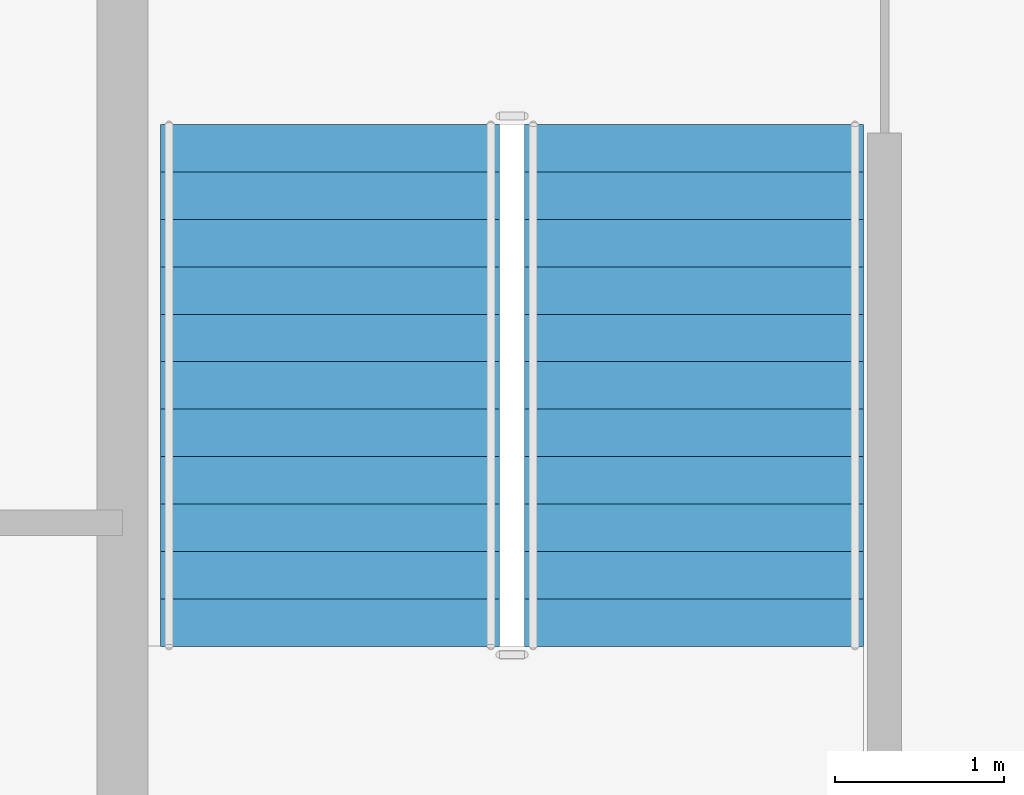
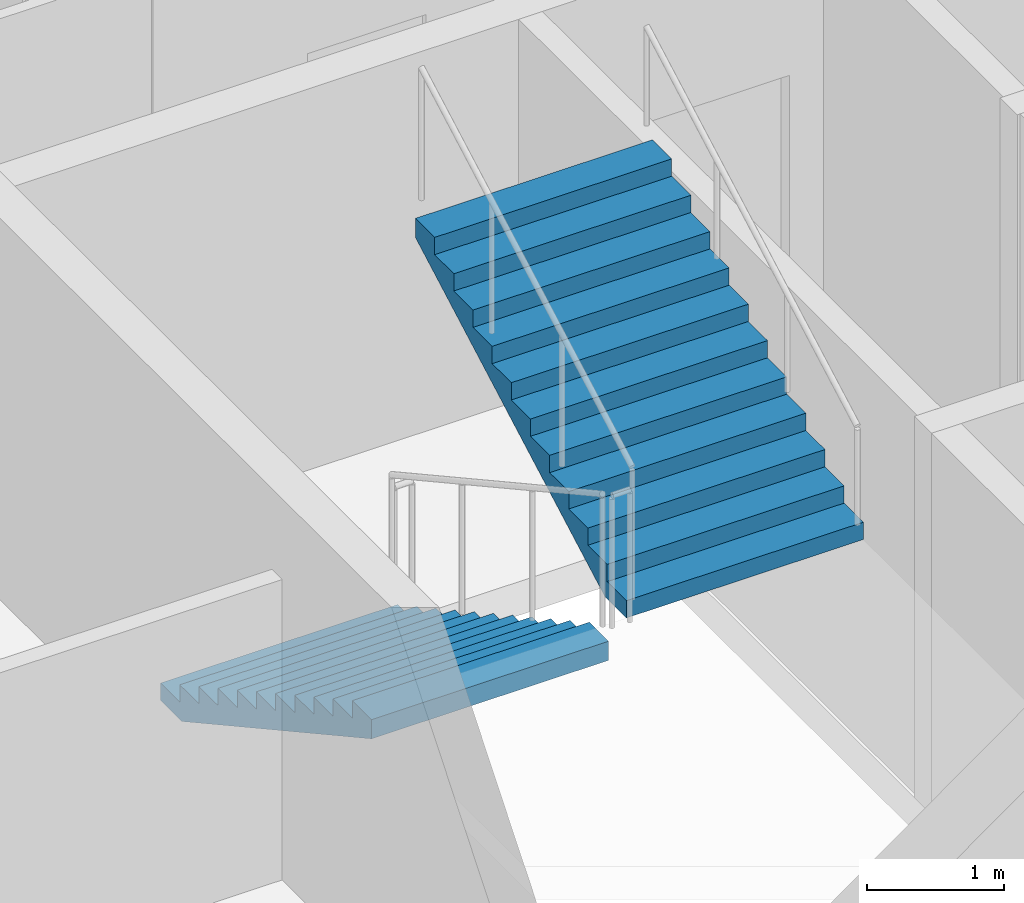
# One storey, part 10 of 13: 2 stair flights, 1 element without a shape of its own.
"""IFC4 building model written with IfcOpenShell, lengths in metres."""

from ifc_helpers import new_model, si_unit, direction, frame, origin, place, context, subcontext, project, spatial, polygons, material, type_object, element, aggregate, save


model = new_model("IFC4")

# Units and contexts
model_context = context("Model", 3, precision=1e-05, world=origin(), true_north=direction((0.0, 1.0)))
body_context = subcontext(model_context, "Body", "Model", "MODEL_VIEW")
ifc_project = project(units=[si_unit("LENGTHUNIT", "METRE"), si_unit("AREAUNIT", "SQUARE_METRE"), si_unit("VOLUMEUNIT", "CUBIC_METRE"), si_unit("PLANEANGLEUNIT", "RADIAN"), si_unit("MASSUNIT", "GRAM", prefix="KILO")], contexts=[model_context])

# Site, building, storey
site_placement = place(None, origin())
site = spatial("IfcSite", under=ifc_project, at=site_placement, CompositionType="ELEMENT")
building_placement = place(site_placement, origin())
building = spatial("IfcBuilding", under=site, at=building_placement, Name="Caravel Reach Hotel and Residences", CompositionType="ELEMENT")
storey_placement = place(building_placement, frame((0.0, 0.0, 158.0)))
storey = spatial("IfcBuildingStorey", under=building, at=storey_placement, Name="L39", CompositionType="ELEMENT", Elevation=158.0)

# Stair, stair flights
ifc_material_1 = material(Name="Concrete C40", Category="concrete")
stair_type = type_object("IfcStairType", Name="Core stair", PredefinedType="HALF_TURN_STAIR", material=ifc_material_1)
stair_placement = place(storey_placement, origin())
stair = element("IfcStair", 1, at=stair_placement, inside=storey, type_object=stair_type, Name="L39 Exit stair A", PredefinedType="HALF_TURN_STAIR")
ifc_material_2 = material(Name="Concrete C40", Category="concrete")
stair_flight_type = type_object("IfcStairFlightType", Name="Core stair flight", PredefinedType="STRAIGHT", material=ifc_material_2)
stair_flight_1_placement = place(storey_placement, frame((19.22509765625, 29.35009765625, 0.0), z_axis=(0.0, 0.0, 1.0), x_axis=(0.0, -1.0, 0.0)))
stair_flight_1 = element("IfcStairFlight", 2, at=stair_flight_1_placement, type_object=stair_flight_type, Name="ST-A flight 1", NumberOfRisers=12, NumberOfTreads=11, PredefinedType="STRAIGHT", RiserHeight=0.154166667, TreadLength=0.28, context=body_context, shape_type="Tessellation", body=[
    polygons([(0.3107950034306102, 1.0, 0.0), (0.3107950034306102, 0.6666666666666667, 0.0), (0.3107950034306102, 0.33333333333333337, 0.0), (0.3107950034306102, 0.0, 0.0), (0.3107950034306102, -0.33333333333333326, 0.0), (0.3107950034306102, -0.6666666666666667, 0.0), (0.3107950034306102, -1.0, 0.0), (3.081, 1.0, 1.524711087717319), (3.081, 0.6666666666666667, 1.524711087717319), (3.081, 0.33333333333333337, 1.524711087717319), (3.081, 0.0, 1.524711087717319), (3.081, -0.33333333333333326, 1.524711087717319), (3.081, -0.6666666666666667, 1.524711087717319), (3.081, -1.0, 1.524711087717319), (3.081, 1.0, 1.695833337), (3.081, 0.6666666666666667, 1.695833337), (3.081, 0.33333333333333337, 1.695833337), (3.081, 0.0, 1.695833337), (3.081, -0.33333333333333326, 1.695833337), (3.081, -0.6666666666666667, 1.695833337), (3.081, -1.0, 1.695833337), (2.8000000000000003, 1.0, 1.695833337), (2.8000000000000003, 0.6666666666666667, 1.695833337), (2.8000000000000003, 0.33333333333333337, 1.695833337), (2.8000000000000003, 0.0, 1.695833337), (2.8000000000000003, -0.33333333333333326, 1.695833337), (2.8000000000000003, -0.6666666666666667, 1.695833337), (2.8000000000000003, -1.0, 1.695833337), (2.8000000000000003, 1.0, 1.5416666700000001), (2.8000000000000003, 0.6666666666666667, 1.5416666700000001), (2.8000000000000003, 0.33333333333333337, 1.5416666700000001), (2.8000000000000003, 0.0, 1.5416666700000001), (2.8000000000000003, -0.33333333333333326, 1.5416666700000001), (2.8000000000000003, -0.6666666666666667, 1.5416666700000001), (2.8000000000000003, -1.0, 1.5416666700000001), (2.5200000000000005, 1.0, 1.5416666700000001), (2.5200000000000005, 0.6666666666666667, 1.5416666700000001), (2.5200000000000005, 0.33333333333333337, 1.5416666700000001), (2.5200000000000005, 0.0, 1.5416666700000001), (2.5200000000000005, -0.33333333333333326, 1.5416666700000001), (2.5200000000000005, -0.6666666666666667, 1.5416666700000001), (2.5200000000000005, -1.0, 1.5416666700000001), (2.5200000000000005, 1.0, 1.387500003), (2.5200000000000005, 0.6666666666666667, 1.387500003), (2.5200000000000005, 0.33333333333333337, 1.387500003), (2.5200000000000005, 0.0, 1.387500003), (2.5200000000000005, -0.33333333333333326, 1.387500003), (2.5200000000000005, -0.6666666666666667, 1.387500003), (2.5200000000000005, -1.0, 1.387500003), (2.24, 1.0, 1.387500003), (2.24, 0.6666666666666667, 1.387500003), (2.24, 0.33333333333333337, 1.387500003), (2.24, 0.0, 1.387500003), (2.24, -0.33333333333333326, 1.387500003), (2.24, -0.6666666666666667, 1.387500003), (2.24, -1.0, 1.387500003), (2.24, 1.0, 1.233333336), (2.24, 0.6666666666666667, 1.233333336), (2.24, 0.33333333333333337, 1.233333336), (2.24, 0.0, 1.233333336), (2.24, -0.33333333333333326, 1.233333336), (2.24, -0.6666666666666667, 1.233333336), (2.24, -1.0, 1.233333336), (1.9600000000000002, 1.0, 1.233333336), (1.9600000000000002, 0.6666666666666667, 1.233333336), (1.9600000000000002, 0.33333333333333337, 1.233333336), (1.9600000000000002, 0.0, 1.233333336), (1.9600000000000002, -0.33333333333333326, 1.233333336), (1.9600000000000002, -0.6666666666666667, 1.233333336), (1.9600000000000002, -1.0, 1.233333336), (1.9600000000000002, 1.0, 1.0791666690000001), (1.9600000000000002, 0.6666666666666667, 1.0791666690000001), (1.9600000000000002, 0.33333333333333337, 1.0791666690000001), (1.9600000000000002, 0.0, 1.0791666690000001), (1.9600000000000002, -0.33333333333333326, 1.0791666690000001), (1.9600000000000002, -0.6666666666666667, 1.0791666690000001), (1.9600000000000002, -1.0, 1.0791666690000001), (1.6800000000000002, 1.0, 1.0791666690000001), (1.6800000000000002, 0.6666666666666667, 1.0791666690000001), (1.6800000000000002, 0.33333333333333337, 1.0791666690000001), (1.6800000000000002, 0.0, 1.0791666690000001), (1.6800000000000002, -0.33333333333333326, 1.0791666690000001), (1.6800000000000002, -0.6666666666666667, 1.0791666690000001), (1.6800000000000002, -1.0, 1.0791666690000001), (1.6800000000000002, 1.0, 0.925000002), (1.6800000000000002, 0.6666666666666667, 0.925000002), (1.6800000000000002, 0.33333333333333337, 0.925000002), (1.6800000000000002, 0.0, 0.925000002), (1.6800000000000002, -0.33333333333333326, 0.925000002), (1.6800000000000002, -0.6666666666666667, 0.925000002), (1.6800000000000002, -1.0, 0.925000002), (1.4000000000000001, 1.0, 0.925000002), (1.4000000000000001, 0.6666666666666667, 0.925000002), (1.4000000000000001, 0.33333333333333337, 0.925000002), (1.4000000000000001, 0.0, 0.925000002), (1.4000000000000001, -0.33333333333333326, 0.925000002), (1.4000000000000001, -0.6666666666666667, 0.925000002), (1.4000000000000001, -1.0, 0.925000002), (1.4000000000000001, 1.0, 0.7708333350000001), (1.4000000000000001, 0.6666666666666667, 0.7708333350000001), (1.4000000000000001, 0.33333333333333337, 0.7708333350000001), (1.4000000000000001, 0.0, 0.7708333350000001), (1.4000000000000001, -0.33333333333333326, 0.7708333350000001), (1.4000000000000001, -0.6666666666666667, 0.7708333350000001), (1.4000000000000001, -1.0, 0.7708333350000001), (1.12, 1.0, 0.7708333350000001), (1.12, 0.6666666666666667, 0.7708333350000001), (1.12, 0.33333333333333337, 0.7708333350000001), (1.12, 0.0, 0.7708333350000001), (1.12, -0.33333333333333326, 0.7708333350000001), (1.12, -0.6666666666666667, 0.7708333350000001), (1.12, -1.0, 0.7708333350000001), (1.12, 1.0, 0.616666668), (1.12, 0.6666666666666667, 0.616666668), (1.12, 0.33333333333333337, 0.616666668), (1.12, 0.0, 0.616666668), (1.12, -0.33333333333333326, 0.616666668), (1.12, -0.6666666666666667, 0.616666668), (1.12, -1.0, 0.616666668), (0.8400000000000001, 1.0, 0.616666668), (0.8400000000000001, 0.6666666666666667, 0.616666668), (0.8400000000000001, 0.33333333333333337, 0.616666668), (0.8400000000000001, 0.0, 0.616666668), (0.8400000000000001, -0.33333333333333326, 0.616666668), (0.8400000000000001, -0.6666666666666667, 0.616666668), (0.8400000000000001, -1.0, 0.616666668), (0.8400000000000001, 1.0, 0.462500001), (0.8400000000000001, 0.6666666666666667, 0.462500001), (0.8400000000000001, 0.33333333333333337, 0.462500001), (0.8400000000000001, 0.0, 0.462500001), (0.8400000000000001, -0.33333333333333326, 0.462500001), (0.8400000000000001, -0.6666666666666667, 0.462500001), (0.8400000000000001, -1.0, 0.462500001), (0.56, 1.0, 0.462500001), (0.56, 0.6666666666666667, 0.462500001), (0.56, 0.33333333333333337, 0.462500001), (0.56, 0.0, 0.462500001), (0.56, -0.33333333333333326, 0.462500001), (0.56, -0.6666666666666667, 0.462500001), (0.56, -1.0, 0.462500001), (0.56, 1.0, 0.308333334), (0.56, 0.6666666666666667, 0.308333334), (0.56, 0.33333333333333337, 0.308333334), (0.56, 0.0, 0.308333334), (0.56, -0.33333333333333326, 0.308333334), (0.56, -0.6666666666666667, 0.308333334), (0.56, -1.0, 0.308333334), (0.28, 1.0, 0.308333334), (0.28, 0.6666666666666667, 0.308333334), (0.28, 0.33333333333333337, 0.308333334), (0.28, 0.0, 0.308333334), (0.28, -0.33333333333333326, 0.308333334), (0.28, -0.6666666666666667, 0.308333334), (0.28, -1.0, 0.308333334), (0.28, 1.0, 0.154166667), (0.28, 0.6666666666666667, 0.154166667), (0.28, 0.33333333333333337, 0.154166667), (0.28, 0.0, 0.154166667), (0.28, -0.33333333333333326, 0.154166667), (0.28, -0.6666666666666667, 0.154166667), (0.28, -1.0, 0.154166667), (-0.001, 1.0, 0.154166667), (-0.001, 0.6666666666666667, 0.154166667), (-0.001, 0.33333333333333337, 0.154166667), (-0.001, 0.0, 0.154166667), (-0.001, -0.33333333333333326, 0.154166667), (-0.001, -0.6666666666666667, 0.154166667), (-0.001, -1.0, 0.154166667), (-0.001, 1.0, 0.0), (-0.001, 0.6666666666666667, 0.0), (-0.001, 0.33333333333333337, 0.0), (-0.001, 0.0, 0.0), (-0.001, -0.33333333333333326, 0.0), (-0.001, -0.6666666666666667, 0.0), (-0.001, -1.0, 0.0)], [[[169, 162, 155, 148, 141, 134, 127, 120, 113, 106, 99, 92, 85, 78, 71, 64, 57, 50, 43, 36, 29, 22, 15, 8, 1]], [[7, 14, 21, 28, 35, 42, 49, 56, 63, 70, 77, 84, 91, 98, 105, 112, 119, 126, 133, 140, 147, 154, 161, 168, 175]], [[1, 8, 9, 2]], [[2, 9, 10, 3]], [[3, 10, 11, 4]], [[4, 11, 12, 5]], [[5, 12, 13, 6]], [[6, 13, 14, 7]], [[8, 15, 16, 9]], [[9, 16, 17, 10]], [[10, 17, 18, 11]], [[11, 18, 19, 12]], [[12, 19, 20, 13]], [[13, 20, 21, 14]], [[15, 22, 23, 16]], [[16, 23, 24, 17]], [[17, 24, 25, 18]], [[18, 25, 26, 19]], [[19, 26, 27, 20]], [[20, 27, 28, 21]], [[22, 29, 30, 23]], [[23, 30, 31, 24]], [[24, 31, 32, 25]], [[25, 32, 33, 26]], [[26, 33, 34, 27]], [[27, 34, 35, 28]], [[29, 36, 37, 30]], [[30, 37, 38, 31]], [[31, 38, 39, 32]], [[32, 39, 40, 33]], [[33, 40, 41, 34]], [[34, 41, 42, 35]], [[36, 43, 44, 37]], [[37, 44, 45, 38]], [[38, 45, 46, 39]], [[39, 46, 47, 40]], [[40, 47, 48, 41]], [[41, 48, 49, 42]], [[43, 50, 51, 44]], [[44, 51, 52, 45]], [[45, 52, 53, 46]], [[46, 53, 54, 47]], [[47, 54, 55, 48]], [[48, 55, 56, 49]], [[50, 57, 58, 51]], [[51, 58, 59, 52]], [[52, 59, 60, 53]], [[53, 60, 61, 54]], [[54, 61, 62, 55]], [[55, 62, 63, 56]], [[57, 64, 65, 58]], [[58, 65, 66, 59]], [[59, 66, 67, 60]], [[60, 67, 68, 61]], [[61, 68, 69, 62]], [[62, 69, 70, 63]], [[64, 71, 72, 65]], [[65, 72, 73, 66]], [[66, 73, 74, 67]], [[67, 74, 75, 68]], [[68, 75, 76, 69]], [[69, 76, 77, 70]], [[71, 78, 79, 72]], [[72, 79, 80, 73]], [[73, 80, 81, 74]], [[74, 81, 82, 75]], [[75, 82, 83, 76]], [[76, 83, 84, 77]], [[78, 85, 86, 79]], [[79, 86, 87, 80]], [[80, 87, 88, 81]], [[81, 88, 89, 82]], [[82, 89, 90, 83]], [[83, 90, 91, 84]], [[85, 92, 93, 86]], [[86, 93, 94, 87]], [[87, 94, 95, 88]], [[88, 95, 96, 89]], [[89, 96, 97, 90]], [[90, 97, 98, 91]], [[92, 99, 100, 93]], [[93, 100, 101, 94]], [[94, 101, 102, 95]], [[95, 102, 103, 96]], [[96, 103, 104, 97]], [[97, 104, 105, 98]], [[99, 106, 107, 100]], [[100, 107, 108, 101]], [[101, 108, 109, 102]], [[102, 109, 110, 103]], [[103, 110, 111, 104]], [[104, 111, 112, 105]], [[106, 113, 114, 107]], [[107, 114, 115, 108]], [[108, 115, 116, 109]], [[109, 116, 117, 110]], [[110, 117, 118, 111]], [[111, 118, 119, 112]], [[113, 120, 121, 114]], [[114, 121, 122, 115]], [[115, 122, 123, 116]], [[116, 123, 124, 117]], [[117, 124, 125, 118]], [[118, 125, 126, 119]], [[120, 127, 128, 121]], [[121, 128, 129, 122]], [[122, 129, 130, 123]], [[123, 130, 131, 124]], [[124, 131, 132, 125]], [[125, 132, 133, 126]], [[127, 134, 135, 128]], [[128, 135, 136, 129]], [[129, 136, 137, 130]], [[130, 137, 138, 131]], [[131, 138, 139, 132]], [[132, 139, 140, 133]], [[134, 141, 142, 135]], [[135, 142, 143, 136]], [[136, 143, 144, 137]], [[137, 144, 145, 138]], [[138, 145, 146, 139]], [[139, 146, 147, 140]], [[141, 148, 149, 142]], [[142, 149, 150, 143]], [[143, 150, 151, 144]], [[144, 151, 152, 145]], [[145, 152, 153, 146]], [[146, 153, 154, 147]], [[148, 155, 156, 149]], [[149, 156, 157, 150]], [[150, 157, 158, 151]], [[151, 158, 159, 152]], [[152, 159, 160, 153]], [[153, 160, 161, 154]], [[155, 162, 163, 156]], [[156, 163, 164, 157]], [[157, 164, 165, 158]], [[158, 165, 166, 159]], [[159, 166, 167, 160]], [[160, 167, 168, 161]], [[162, 169, 170, 163]], [[163, 170, 171, 164]], [[164, 171, 172, 165]], [[165, 172, 173, 166]], [[166, 173, 174, 167]], [[167, 174, 175, 168]], [[169, 1, 2, 170]], [[170, 2, 3, 171]], [[171, 3, 4, 172]], [[172, 4, 5, 173]], [[173, 5, 6, 174]], [[174, 6, 7, 175]]], closed=True),
])
stair_flight_2_placement = place(storey_placement, frame((21.375, 26.27001953125, 1.85009765625), z_axis=(0.0, 0.0, 1.0), x_axis=(0.0, 1.0, 0.0)))
stair_flight_2 = element("IfcStairFlight", 3, at=stair_flight_2_placement, type_object=stair_flight_type, Name="ST-A flight 2", NumberOfRisers=12, NumberOfTreads=11, PredefinedType="STRAIGHT", RiserHeight=0.154166667, TreadLength=0.28, context=body_context, shape_type="Tessellation", body=[
    polygons([(0.3107950034306102, 1.0, 0.0), (0.3107950034306102, 0.6666666666666667, 0.0), (0.3107950034306102, 0.33333333333333337, 0.0), (0.3107950034306102, 0.0, 0.0), (0.3107950034306102, -0.33333333333333326, 0.0), (0.3107950034306102, -0.6666666666666667, 0.0), (0.3107950034306102, -1.0, 0.0), (3.081, 1.0, 1.524711087717319), (3.081, 0.6666666666666667, 1.524711087717319), (3.081, 0.33333333333333337, 1.524711087717319), (3.081, 0.0, 1.524711087717319), (3.081, -0.33333333333333326, 1.524711087717319), (3.081, -0.6666666666666667, 1.524711087717319), (3.081, -1.0, 1.524711087717319), (3.081, 1.0, 1.695833337), (3.081, 0.6666666666666667, 1.695833337), (3.081, 0.33333333333333337, 1.695833337), (3.081, 0.0, 1.695833337), (3.081, -0.33333333333333326, 1.695833337), (3.081, -0.6666666666666667, 1.695833337), (3.081, -1.0, 1.695833337), (2.8000000000000003, 1.0, 1.695833337), (2.8000000000000003, 0.6666666666666667, 1.695833337), (2.8000000000000003, 0.33333333333333337, 1.695833337), (2.8000000000000003, 0.0, 1.695833337), (2.8000000000000003, -0.33333333333333326, 1.695833337), (2.8000000000000003, -0.6666666666666667, 1.695833337), (2.8000000000000003, -1.0, 1.695833337), (2.8000000000000003, 1.0, 1.5416666700000001), (2.8000000000000003, 0.6666666666666667, 1.5416666700000001), (2.8000000000000003, 0.33333333333333337, 1.5416666700000001), (2.8000000000000003, 0.0, 1.5416666700000001), (2.8000000000000003, -0.33333333333333326, 1.5416666700000001), (2.8000000000000003, -0.6666666666666667, 1.5416666700000001), (2.8000000000000003, -1.0, 1.5416666700000001), (2.5200000000000005, 1.0, 1.5416666700000001), (2.5200000000000005, 0.6666666666666667, 1.5416666700000001), (2.5200000000000005, 0.33333333333333337, 1.5416666700000001), (2.5200000000000005, 0.0, 1.5416666700000001), (2.5200000000000005, -0.33333333333333326, 1.5416666700000001), (2.5200000000000005, -0.6666666666666667, 1.5416666700000001), (2.5200000000000005, -1.0, 1.5416666700000001), (2.5200000000000005, 1.0, 1.387500003), (2.5200000000000005, 0.6666666666666667, 1.387500003), (2.5200000000000005, 0.33333333333333337, 1.387500003), (2.5200000000000005, 0.0, 1.387500003), (2.5200000000000005, -0.33333333333333326, 1.387500003), (2.5200000000000005, -0.6666666666666667, 1.387500003), (2.5200000000000005, -1.0, 1.387500003), (2.24, 1.0, 1.387500003), (2.24, 0.6666666666666667, 1.387500003), (2.24, 0.33333333333333337, 1.387500003), (2.24, 0.0, 1.387500003), (2.24, -0.33333333333333326, 1.387500003), (2.24, -0.6666666666666667, 1.387500003), (2.24, -1.0, 1.387500003), (2.24, 1.0, 1.233333336), (2.24, 0.6666666666666667, 1.233333336), (2.24, 0.33333333333333337, 1.233333336), (2.24, 0.0, 1.233333336), (2.24, -0.33333333333333326, 1.233333336), (2.24, -0.6666666666666667, 1.233333336), (2.24, -1.0, 1.233333336), (1.9600000000000002, 1.0, 1.233333336), (1.9600000000000002, 0.6666666666666667, 1.233333336), (1.9600000000000002, 0.33333333333333337, 1.233333336), (1.9600000000000002, 0.0, 1.233333336), (1.9600000000000002, -0.33333333333333326, 1.233333336), (1.9600000000000002, -0.6666666666666667, 1.233333336), (1.9600000000000002, -1.0, 1.233333336), (1.9600000000000002, 1.0, 1.0791666690000001), (1.9600000000000002, 0.6666666666666667, 1.0791666690000001), (1.9600000000000002, 0.33333333333333337, 1.0791666690000001), (1.9600000000000002, 0.0, 1.0791666690000001), (1.9600000000000002, -0.33333333333333326, 1.0791666690000001), (1.9600000000000002, -0.6666666666666667, 1.0791666690000001), (1.9600000000000002, -1.0, 1.0791666690000001), (1.6800000000000002, 1.0, 1.0791666690000001), (1.6800000000000002, 0.6666666666666667, 1.0791666690000001), (1.6800000000000002, 0.33333333333333337, 1.0791666690000001), (1.6800000000000002, 0.0, 1.0791666690000001), (1.6800000000000002, -0.33333333333333326, 1.0791666690000001), (1.6800000000000002, -0.6666666666666667, 1.0791666690000001), (1.6800000000000002, -1.0, 1.0791666690000001), (1.6800000000000002, 1.0, 0.925000002), (1.6800000000000002, 0.6666666666666667, 0.925000002), (1.6800000000000002, 0.33333333333333337, 0.925000002), (1.6800000000000002, 0.0, 0.925000002), (1.6800000000000002, -0.33333333333333326, 0.925000002), (1.6800000000000002, -0.6666666666666667, 0.925000002), (1.6800000000000002, -1.0, 0.925000002), (1.4000000000000001, 1.0, 0.925000002), (1.4000000000000001, 0.6666666666666667, 0.925000002), (1.4000000000000001, 0.33333333333333337, 0.925000002), (1.4000000000000001, 0.0, 0.925000002), (1.4000000000000001, -0.33333333333333326, 0.925000002), (1.4000000000000001, -0.6666666666666667, 0.925000002), (1.4000000000000001, -1.0, 0.925000002), (1.4000000000000001, 1.0, 0.7708333350000001), (1.4000000000000001, 0.6666666666666667, 0.7708333350000001), (1.4000000000000001, 0.33333333333333337, 0.7708333350000001), (1.4000000000000001, 0.0, 0.7708333350000001), (1.4000000000000001, -0.33333333333333326, 0.7708333350000001), (1.4000000000000001, -0.6666666666666667, 0.7708333350000001), (1.4000000000000001, -1.0, 0.7708333350000001), (1.12, 1.0, 0.7708333350000001), (1.12, 0.6666666666666667, 0.7708333350000001), (1.12, 0.33333333333333337, 0.7708333350000001), (1.12, 0.0, 0.7708333350000001), (1.12, -0.33333333333333326, 0.7708333350000001), (1.12, -0.6666666666666667, 0.7708333350000001), (1.12, -1.0, 0.7708333350000001), (1.12, 1.0, 0.616666668), (1.12, 0.6666666666666667, 0.616666668), (1.12, 0.33333333333333337, 0.616666668), (1.12, 0.0, 0.616666668), (1.12, -0.33333333333333326, 0.616666668), (1.12, -0.6666666666666667, 0.616666668), (1.12, -1.0, 0.616666668), (0.8400000000000001, 1.0, 0.616666668), (0.8400000000000001, 0.6666666666666667, 0.616666668), (0.8400000000000001, 0.33333333333333337, 0.616666668), (0.8400000000000001, 0.0, 0.616666668), (0.8400000000000001, -0.33333333333333326, 0.616666668), (0.8400000000000001, -0.6666666666666667, 0.616666668), (0.8400000000000001, -1.0, 0.616666668), (0.8400000000000001, 1.0, 0.462500001), (0.8400000000000001, 0.6666666666666667, 0.462500001), (0.8400000000000001, 0.33333333333333337, 0.462500001), (0.8400000000000001, 0.0, 0.462500001), (0.8400000000000001, -0.33333333333333326, 0.462500001), (0.8400000000000001, -0.6666666666666667, 0.462500001), (0.8400000000000001, -1.0, 0.462500001), (0.56, 1.0, 0.462500001), (0.56, 0.6666666666666667, 0.462500001), (0.56, 0.33333333333333337, 0.462500001), (0.56, 0.0, 0.462500001), (0.56, -0.33333333333333326, 0.462500001), (0.56, -0.6666666666666667, 0.462500001), (0.56, -1.0, 0.462500001), (0.56, 1.0, 0.308333334), (0.56, 0.6666666666666667, 0.308333334), (0.56, 0.33333333333333337, 0.308333334), (0.56, 0.0, 0.308333334), (0.56, -0.33333333333333326, 0.308333334), (0.56, -0.6666666666666667, 0.308333334), (0.56, -1.0, 0.308333334), (0.28, 1.0, 0.308333334), (0.28, 0.6666666666666667, 0.308333334), (0.28, 0.33333333333333337, 0.308333334), (0.28, 0.0, 0.308333334), (0.28, -0.33333333333333326, 0.308333334), (0.28, -0.6666666666666667, 0.308333334), (0.28, -1.0, 0.308333334), (0.28, 1.0, 0.154166667), (0.28, 0.6666666666666667, 0.154166667), (0.28, 0.33333333333333337, 0.154166667), (0.28, 0.0, 0.154166667), (0.28, -0.33333333333333326, 0.154166667), (0.28, -0.6666666666666667, 0.154166667), (0.28, -1.0, 0.154166667), (-0.001, 1.0, 0.154166667), (-0.001, 0.6666666666666667, 0.154166667), (-0.001, 0.33333333333333337, 0.154166667), (-0.001, 0.0, 0.154166667), (-0.001, -0.33333333333333326, 0.154166667), (-0.001, -0.6666666666666667, 0.154166667), (-0.001, -1.0, 0.154166667), (-0.001, 1.0, 0.0), (-0.001, 0.6666666666666667, 0.0), (-0.001, 0.33333333333333337, 0.0), (-0.001, 0.0, 0.0), (-0.001, -0.33333333333333326, 0.0), (-0.001, -0.6666666666666667, 0.0), (-0.001, -1.0, 0.0)], [[[169, 162, 155, 148, 141, 134, 127, 120, 113, 106, 99, 92, 85, 78, 71, 64, 57, 50, 43, 36, 29, 22, 15, 8, 1]], [[7, 14, 21, 28, 35, 42, 49, 56, 63, 70, 77, 84, 91, 98, 105, 112, 119, 126, 133, 140, 147, 154, 161, 168, 175]], [[1, 8, 9, 2]], [[2, 9, 10, 3]], [[3, 10, 11, 4]], [[4, 11, 12, 5]], [[5, 12, 13, 6]], [[6, 13, 14, 7]], [[8, 15, 16, 9]], [[9, 16, 17, 10]], [[10, 17, 18, 11]], [[11, 18, 19, 12]], [[12, 19, 20, 13]], [[13, 20, 21, 14]], [[15, 22, 23, 16]], [[16, 23, 24, 17]], [[17, 24, 25, 18]], [[18, 25, 26, 19]], [[19, 26, 27, 20]], [[20, 27, 28, 21]], [[22, 29, 30, 23]], [[23, 30, 31, 24]], [[24, 31, 32, 25]], [[25, 32, 33, 26]], [[26, 33, 34, 27]], [[27, 34, 35, 28]], [[29, 36, 37, 30]], [[30, 37, 38, 31]], [[31, 38, 39, 32]], [[32, 39, 40, 33]], [[33, 40, 41, 34]], [[34, 41, 42, 35]], [[36, 43, 44, 37]], [[37, 44, 45, 38]], [[38, 45, 46, 39]], [[39, 46, 47, 40]], [[40, 47, 48, 41]], [[41, 48, 49, 42]], [[43, 50, 51, 44]], [[44, 51, 52, 45]], [[45, 52, 53, 46]], [[46, 53, 54, 47]], [[47, 54, 55, 48]], [[48, 55, 56, 49]], [[50, 57, 58, 51]], [[51, 58, 59, 52]], [[52, 59, 60, 53]], [[53, 60, 61, 54]], [[54, 61, 62, 55]], [[55, 62, 63, 56]], [[57, 64, 65, 58]], [[58, 65, 66, 59]], [[59, 66, 67, 60]], [[60, 67, 68, 61]], [[61, 68, 69, 62]], [[62, 69, 70, 63]], [[64, 71, 72, 65]], [[65, 72, 73, 66]], [[66, 73, 74, 67]], [[67, 74, 75, 68]], [[68, 75, 76, 69]], [[69, 76, 77, 70]], [[71, 78, 79, 72]], [[72, 79, 80, 73]], [[73, 80, 81, 74]], [[74, 81, 82, 75]], [[75, 82, 83, 76]], [[76, 83, 84, 77]], [[78, 85, 86, 79]], [[79, 86, 87, 80]], [[80, 87, 88, 81]], [[81, 88, 89, 82]], [[82, 89, 90, 83]], [[83, 90, 91, 84]], [[85, 92, 93, 86]], [[86, 93, 94, 87]], [[87, 94, 95, 88]], [[88, 95, 96, 89]], [[89, 96, 97, 90]], [[90, 97, 98, 91]], [[92, 99, 100, 93]], [[93, 100, 101, 94]], [[94, 101, 102, 95]], [[95, 102, 103, 96]], [[96, 103, 104, 97]], [[97, 104, 105, 98]], [[99, 106, 107, 100]], [[100, 107, 108, 101]], [[101, 108, 109, 102]], [[102, 109, 110, 103]], [[103, 110, 111, 104]], [[104, 111, 112, 105]], [[106, 113, 114, 107]], [[107, 114, 115, 108]], [[108, 115, 116, 109]], [[109, 116, 117, 110]], [[110, 117, 118, 111]], [[111, 118, 119, 112]], [[113, 120, 121, 114]], [[114, 121, 122, 115]], [[115, 122, 123, 116]], [[116, 123, 124, 117]], [[117, 124, 125, 118]], [[118, 125, 126, 119]], [[120, 127, 128, 121]], [[121, 128, 129, 122]], [[122, 129, 130, 123]], [[123, 130, 131, 124]], [[124, 131, 132, 125]], [[125, 132, 133, 126]], [[127, 134, 135, 128]], [[128, 135, 136, 129]], [[129, 136, 137, 130]], [[130, 137, 138, 131]], [[131, 138, 139, 132]], [[132, 139, 140, 133]], [[134, 141, 142, 135]], [[135, 142, 143, 136]], [[136, 143, 144, 137]], [[137, 144, 145, 138]], [[138, 145, 146, 139]], [[139, 146, 147, 140]], [[141, 148, 149, 142]], [[142, 149, 150, 143]], [[143, 150, 151, 144]], [[144, 151, 152, 145]], [[145, 152, 153, 146]], [[146, 153, 154, 147]], [[148, 155, 156, 149]], [[149, 156, 157, 150]], [[150, 157, 158, 151]], [[151, 158, 159, 152]], [[152, 159, 160, 153]], [[153, 160, 161, 154]], [[155, 162, 163, 156]], [[156, 163, 164, 157]], [[157, 164, 165, 158]], [[158, 165, 166, 159]], [[159, 166, 167, 160]], [[160, 167, 168, 161]], [[162, 169, 170, 163]], [[163, 170, 171, 164]], [[164, 171, 172, 165]], [[165, 172, 173, 166]], [[166, 173, 174, 167]], [[167, 174, 175, 168]], [[169, 1, 2, 170]], [[170, 2, 3, 171]], [[171, 3, 4, 172]], [[172, 4, 5, 173]], [[173, 5, 6, 174]], [[174, 6, 7, 175]]], closed=True),
])
aggregate(stair, [stair_flight_1, stair_flight_2])

save(model, "model.ifc")
